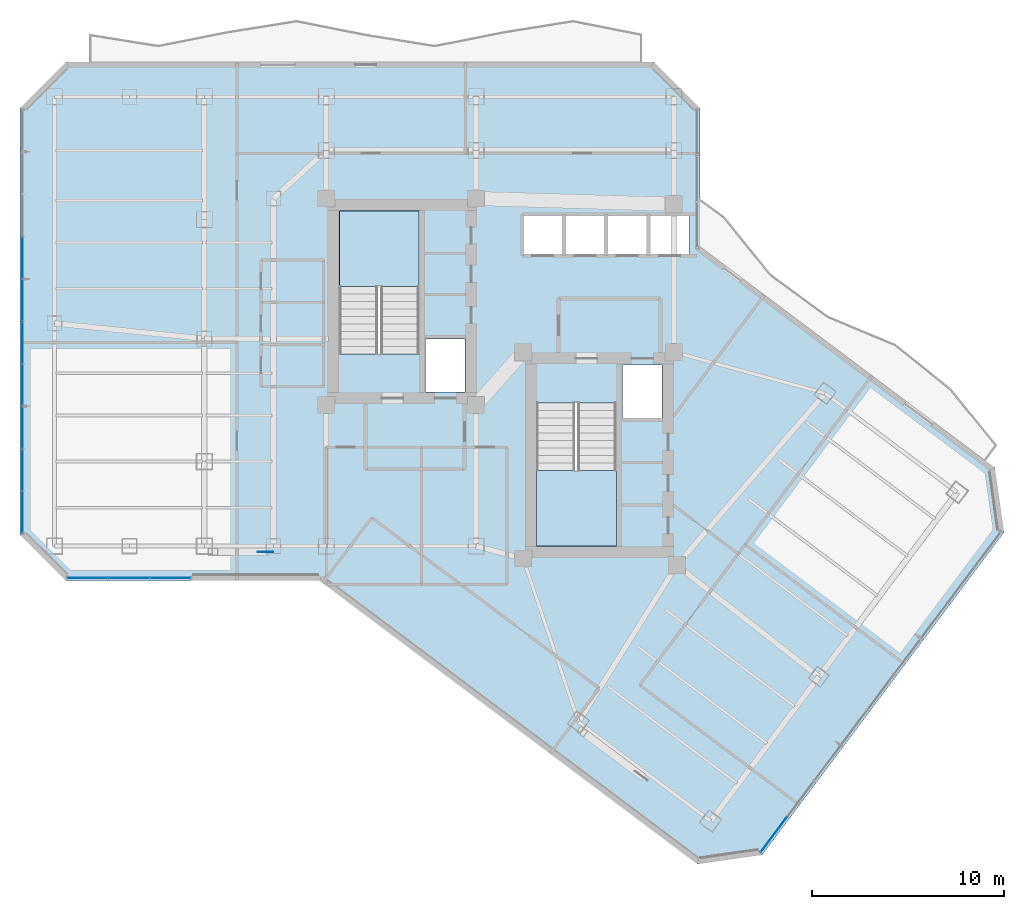
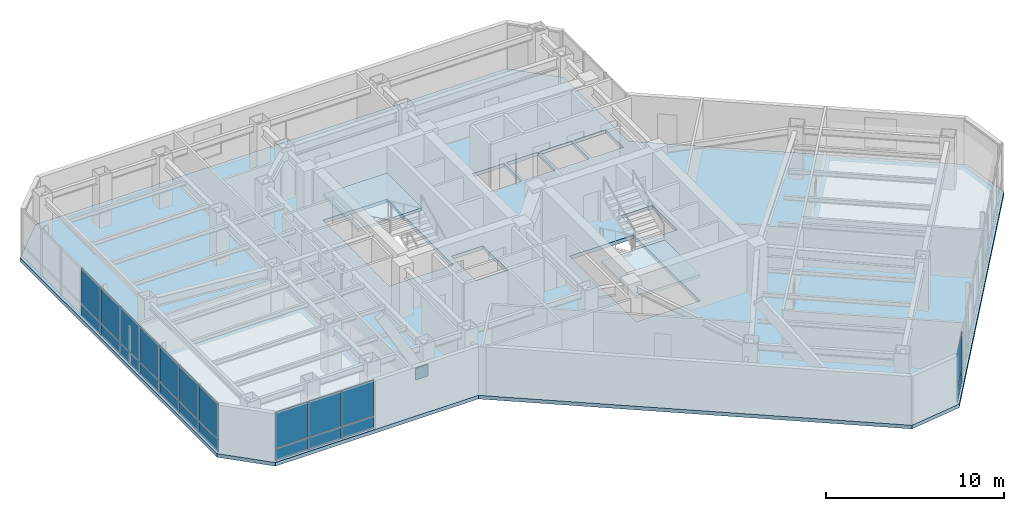
# One storey, part 20 of 28: 23 plates, 3 slabs, 5 elements without a shape of their own.
"""IFC4 building model written with IfcOpenShell, lengths in metres."""

from ifc_helpers import new_model, si_unit, direction, frame, origin, origin_2d, place, context, subcontext, project, spatial, polyline, rectangle, outline, extrude, material, layer, layer_set, type_object, element, aggregate, save


model = new_model("IFC4")

# Units and contexts
model_context = context("Model", 3, precision=1e-05, world=origin(), true_north=direction((0.0, 1.0)))
body_context = subcontext(model_context, "Body", "Model", "MODEL_VIEW")
ifc_project = project(units=[si_unit("LENGTHUNIT", "METRE"), si_unit("AREAUNIT", "SQUARE_METRE"), si_unit("VOLUMEUNIT", "CUBIC_METRE"), si_unit("PLANEANGLEUNIT", "RADIAN"), si_unit("MASSUNIT", "GRAM", prefix="KILO")], contexts=[model_context])

# Site, building, storey
site_placement = place(None, origin())
site = spatial("IfcSite", under=ifc_project, at=site_placement, CompositionType="ELEMENT")
building_placement = place(site_placement, origin())
building = spatial("IfcBuilding", under=site, at=building_placement, Name="Hatsunagi Terrace Concourse", CompositionType="ELEMENT")
storey_placement = place(building_placement, frame((0.0, 0.0, 138.449951171875)))
storey = spatial("IfcBuildingStorey", under=building, at=storey_placement, Name="L36", CompositionType="ELEMENT", Elevation=138.449951171875)

# Curtain wall, plate
ifc_material_1 = material(Name="Anodised Aluminium Alloy 6063-T5", Category="aluminium")
ifc_layer_1 = layer(ifc_material_1, 0.199951171875)
ifc_layer_set_1 = layer_set([ifc_layer_1], Name="OfficeZone1_CW03")
curtain_wall_type = type_object("IfcCurtainWallType", Name="OfficeZone1_CW03", PredefinedType="NOTDEFINED", material=ifc_layer_set_1)
curtain_wall_1_placement = place(storey_placement, origin())
curtain_wall_1 = element("IfcCurtainWall", 1, at=curtain_wall_1_placement, inside=storey, type_object=curtain_wall_type, Name="Unitised Curtain Wall CW-03 CW-L36-03", PredefinedType="NOTDEFINED")
ifc_material_2 = material(Name="Warm Terracotta Ceramic Spandrel Panel", Category="masonry")
ifc_layer_2 = layer(ifc_material_2, 0.031982421875)
ifc_layer_set_2 = layer_set([ifc_layer_2], Name="CurtainWallSpandrelPanel_32")
plate_type_1 = type_object("IfcPlateType", Name="CurtainWallSpandrelPanel_32", PredefinedType="SHEET", material=ifc_layer_set_2)
plate_1_placement = place(storey_placement, frame((48.85888671875, 10.177978515625, 0.030029296875), z_axis=(0.0, 0.0, 1.0), x_axis=(-0.599969314634, -0.800023013105, 0.0)))
plate_1 = element("IfcPlate", 2, at=plate_1_placement, type_object=plate_type_1, Name="Terracotta Spandrel Panel SPN-01", PredefinedType="SHEET", context=body_context, shape_type="SweptSolid", body=[
    extrude(rectangle(XDim=2.264892578125, YDim=0.031982421875, at=origin_2d()), origin(), (0.0, 0.0, 1.0), 0.7900390625),
])

# Curtain wall, plates
curtain_wall_2_placement = place(storey_placement, origin())
curtain_wall_2 = element("IfcCurtainWall", 3, at=curtain_wall_2_placement, inside=storey, type_object=curtain_wall_type, Name="Unitised Curtain Wall CW-03 CW-L36-07", PredefinedType="NOTDEFINED")
plate_2_placement = place(storey_placement, frame((17.426025390625, 23.5400390625, 0.030029296875), z_axis=(0.0, 0.0, 1.0), x_axis=(-1.0, 0.0, 0.0)))
plate_2 = element("IfcPlate", 4, at=plate_2_placement, type_object=plate_type_1, Name="Terracotta Spandrel Panel SPN-01", PredefinedType="SHEET", context=body_context, shape_type="SweptSolid", body=[
    extrude(rectangle(XDim=2.092041015625, YDim=0.031982421875, at=origin_2d()), origin(), (0.0, 0.0, 1.0), 0.7900390625),
])
plate_3_placement = place(storey_placement, frame((15.279052734375, 23.5400390625, 0.030029296875), z_axis=(0.0, 0.0, 1.0), x_axis=(-1.0, 0.0, 0.0)))
plate_3 = element("IfcPlate", 5, at=plate_3_placement, type_object=plate_type_1, Name="Terracotta Spandrel Panel SPN-01", PredefinedType="SHEET", context=body_context, shape_type="SweptSolid", body=[
    extrude(rectangle(XDim=2.092041015625, YDim=0.031982421875, at=origin_2d()), origin(), (0.0, 0.0, 1.0), 0.7900390625),
])
plate_4_placement = place(storey_placement, frame((13.132080078125, 23.5400390625, 0.030029296875), z_axis=(0.0, 0.0, 1.0), x_axis=(-1.0, 0.0, 0.0)))
plate_4 = element("IfcPlate", 6, at=plate_4_placement, type_object=plate_type_1, Name="Terracotta Spandrel Panel SPN-01", PredefinedType="SHEET", context=body_context, shape_type="SweptSolid", body=[
    extrude(rectangle(XDim=2.092041015625, YDim=0.031982421875, at=origin_2d()), origin(), (0.0, 0.0, 1.0), 0.7900390625),
])

curtain_wall_3_placement = place(storey_placement, origin())
curtain_wall_3 = element("IfcCurtainWall", 7, at=curtain_wall_3_placement, inside=storey, type_object=curtain_wall_type, Name="Unitised Curtain Wall CW-03 CW-L36-09", PredefinedType="NOTDEFINED")
plate_5_placement = place(storey_placement, frame((9.739990234375, 26.9619140625, 0.030029296875), z_axis=(0.0, 0.0, 1.0), x_axis=(0.0, 1.0, 0.0)))
plate_5 = element("IfcPlate", 8, at=plate_5_placement, type_object=plate_type_1, Name="Terracotta Spandrel Panel SPN-01", PredefinedType="SHEET", context=body_context, shape_type="SweptSolid", body=[
    extrude(rectangle(XDim=2.153076171875, YDim=0.031982421875, at=origin_2d()), origin(), (0.0, 0.0, 1.0), 0.7900390625),
])
plate_6_placement = place(storey_placement, frame((9.739990234375, 29.1708984375, 0.030029296875), z_axis=(0.0, 0.0, 1.0), x_axis=(0.0, 1.0, 0.0)))
plate_6 = element("IfcPlate", 9, at=plate_6_placement, type_object=plate_type_1, Name="Terracotta Spandrel Panel SPN-01", PredefinedType="SHEET", context=body_context, shape_type="SweptSolid", body=[
    extrude(rectangle(XDim=2.153076171875, YDim=0.031982421875, at=origin_2d()), origin(), (0.0, 0.0, 1.0), 0.7900390625),
])
plate_7_placement = place(storey_placement, frame((9.739990234375, 31.37890625, 0.030029296875), z_axis=(0.0, 0.0, 1.0), x_axis=(0.0, 1.0, 0.0)))
plate_7 = element("IfcPlate", 10, at=plate_7_placement, type_object=plate_type_1, Name="Terracotta Spandrel Panel SPN-01", PredefinedType="SHEET", context=body_context, shape_type="SweptSolid", body=[
    extrude(rectangle(XDim=2.153076171875, YDim=0.031982421875, at=origin_2d()), origin(), (0.0, 0.0, 1.0), 0.7900390625),
])
plate_8_placement = place(storey_placement, frame((9.739990234375, 33.5869140625, 0.030029296875), z_axis=(0.0, 0.0, 1.0), x_axis=(0.0, 1.0, 0.0)))
plate_8 = element("IfcPlate", 11, at=plate_8_placement, type_object=plate_type_1, Name="Terracotta Spandrel Panel SPN-01", PredefinedType="SHEET", context=body_context, shape_type="SweptSolid", body=[
    extrude(rectangle(XDim=2.153076171875, YDim=0.031982421875, at=origin_2d()), origin(), (0.0, 0.0, 1.0), 0.7900390625),
])
plate_9_placement = place(storey_placement, frame((9.739990234375, 35.7958984375, 0.030029296875), z_axis=(0.0, 0.0, 1.0), x_axis=(0.0, 1.0, 0.0)))
plate_9 = element("IfcPlate", 12, at=plate_9_placement, type_object=plate_type_1, Name="Terracotta Spandrel Panel SPN-01", PredefinedType="SHEET", context=body_context, shape_type="SweptSolid", body=[
    extrude(rectangle(XDim=2.153076171875, YDim=0.031982421875, at=origin_2d()), origin(), (0.0, 0.0, 1.0), 0.7900390625),
])
plate_10_placement = place(storey_placement, frame((9.739990234375, 38.00390625, 0.030029296875), z_axis=(0.0, 0.0, 1.0), x_axis=(0.0, 1.0, 0.0)))
plate_10 = element("IfcPlate", 13, at=plate_10_placement, type_object=plate_type_1, Name="Terracotta Spandrel Panel SPN-01", PredefinedType="SHEET", context=body_context, shape_type="SweptSolid", body=[
    extrude(rectangle(XDim=2.153076171875, YDim=0.031982421875, at=origin_2d()), origin(), (0.0, 0.0, 1.0), 0.7900390625),
])
plate_11_placement = place(storey_placement, frame((9.739990234375, 40.212890625, 0.030029296875), z_axis=(0.0, 0.0, 1.0), x_axis=(0.0, 1.0, 0.0)))
plate_11 = element("IfcPlate", 14, at=plate_11_placement, type_object=plate_type_1, Name="Terracotta Spandrel Panel SPN-01", PredefinedType="SHEET", context=body_context, shape_type="SweptSolid", body=[
    extrude(rectangle(XDim=2.153076171875, YDim=0.031982421875, at=origin_2d()), origin(), (0.0, 0.0, 1.0), 0.7900390625),
])

# Plate
ifc_material_3 = material(Name="Low-E Double Insulating Glass 28mm", Category="glass")
ifc_layer_3 = layer(ifc_material_3, 0.028076171875)
ifc_layer_set_3 = layer_set([ifc_layer_3], Name="CurtainWallVisionGlass_28")
plate_type_2 = type_object("IfcPlateType", Name="CurtainWallVisionGlass_28", PredefinedType="CURTAIN_PANEL", material=ifc_layer_set_3)
plate_12_placement = place(storey_placement, frame((48.85888671875, 10.177978515625, 0.880126953125), z_axis=(0.0, 0.0, 1.0), x_axis=(-0.599969314634, -0.800023013105, 0.0)))
plate_12 = element("IfcPlate", 15, at=plate_12_placement, type_object=plate_type_2, Name="Low-E Vision Glass Panel GLZ-01", PredefinedType="CURTAIN_PANEL", context=body_context, shape_type="SweptSolid", body=[
    extrude(rectangle(XDim=2.264892578125, YDim=0.028076171875, at=origin_2d()), origin(), (0.0, 0.0, 1.0), 2.43994140625),
])

aggregate(curtain_wall_1, [plate_1, plate_12])

plate_13_placement = place(storey_placement, frame((17.426025390625, 23.5400390625, 0.880126953125), z_axis=(0.0, 0.0, 1.0), x_axis=(-1.0, 0.0, 0.0)))
plate_13 = element("IfcPlate", 16, at=plate_13_placement, type_object=plate_type_2, Name="Low-E Vision Glass Panel GLZ-01", PredefinedType="CURTAIN_PANEL", context=body_context, shape_type="SweptSolid", body=[
    extrude(rectangle(XDim=2.092041015625, YDim=0.028076171875, at=origin_2d()), origin(), (0.0, 0.0, 1.0), 2.43994140625),
])

plate_14_placement = place(storey_placement, frame((15.279052734375, 23.5400390625, 0.880126953125), z_axis=(0.0, 0.0, 1.0), x_axis=(-1.0, 0.0, 0.0)))
plate_14 = element("IfcPlate", 17, at=plate_14_placement, type_object=plate_type_2, Name="Low-E Vision Glass Panel GLZ-01", PredefinedType="CURTAIN_PANEL", context=body_context, shape_type="SweptSolid", body=[
    extrude(rectangle(XDim=2.092041015625, YDim=0.028076171875, at=origin_2d()), origin(), (0.0, 0.0, 1.0), 2.43994140625),
])

plate_15_placement = place(storey_placement, frame((13.132080078125, 23.5400390625, 0.880126953125), z_axis=(0.0, 0.0, 1.0), x_axis=(-1.0, 0.0, 0.0)))
plate_15 = element("IfcPlate", 18, at=plate_15_placement, type_object=plate_type_2, Name="Low-E Vision Glass Panel GLZ-01", PredefinedType="CURTAIN_PANEL", context=body_context, shape_type="SweptSolid", body=[
    extrude(rectangle(XDim=2.092041015625, YDim=0.028076171875, at=origin_2d()), origin(), (0.0, 0.0, 1.0), 2.43994140625),
])

aggregate(curtain_wall_2, [plate_2, plate_13, plate_3, plate_14, plate_4, plate_15])

plate_16_placement = place(storey_placement, frame((9.739990234375, 26.9619140625, 0.880126953125), z_axis=(0.0, 0.0, 1.0), x_axis=(0.0, 1.0, 0.0)))
plate_16 = element("IfcPlate", 19, at=plate_16_placement, type_object=plate_type_2, Name="Low-E Vision Glass Panel GLZ-01", PredefinedType="CURTAIN_PANEL", context=body_context, shape_type="SweptSolid", body=[
    extrude(rectangle(XDim=2.153076171875, YDim=0.028076171875, at=origin_2d()), origin(), (0.0, 0.0, 1.0), 2.43994140625),
])

plate_17_placement = place(storey_placement, frame((9.739990234375, 29.1708984375, 0.880126953125), z_axis=(0.0, 0.0, 1.0), x_axis=(0.0, 1.0, 0.0)))
plate_17 = element("IfcPlate", 20, at=plate_17_placement, type_object=plate_type_2, Name="Low-E Vision Glass Panel GLZ-01", PredefinedType="CURTAIN_PANEL", context=body_context, shape_type="SweptSolid", body=[
    extrude(rectangle(XDim=2.153076171875, YDim=0.028076171875, at=origin_2d()), origin(), (0.0, 0.0, 1.0), 2.43994140625),
])

plate_18_placement = place(storey_placement, frame((9.739990234375, 31.37890625, 0.880126953125), z_axis=(0.0, 0.0, 1.0), x_axis=(0.0, 1.0, 0.0)))
plate_18 = element("IfcPlate", 21, at=plate_18_placement, type_object=plate_type_2, Name="Low-E Vision Glass Panel GLZ-01", PredefinedType="CURTAIN_PANEL", context=body_context, shape_type="SweptSolid", body=[
    extrude(rectangle(XDim=2.153076171875, YDim=0.028076171875, at=origin_2d()), origin(), (0.0, 0.0, 1.0), 2.43994140625),
])

plate_19_placement = place(storey_placement, frame((9.739990234375, 33.5869140625, 0.880126953125), z_axis=(0.0, 0.0, 1.0), x_axis=(0.0, 1.0, 0.0)))
plate_19 = element("IfcPlate", 22, at=plate_19_placement, type_object=plate_type_2, Name="Low-E Vision Glass Panel GLZ-01", PredefinedType="CURTAIN_PANEL", context=body_context, shape_type="SweptSolid", body=[
    extrude(rectangle(XDim=2.153076171875, YDim=0.028076171875, at=origin_2d()), origin(), (0.0, 0.0, 1.0), 2.43994140625),
])

plate_20_placement = place(storey_placement, frame((9.739990234375, 35.7958984375, 0.880126953125), z_axis=(0.0, 0.0, 1.0), x_axis=(0.0, 1.0, 0.0)))
plate_20 = element("IfcPlate", 23, at=plate_20_placement, type_object=plate_type_2, Name="Low-E Vision Glass Panel GLZ-01", PredefinedType="CURTAIN_PANEL", context=body_context, shape_type="SweptSolid", body=[
    extrude(rectangle(XDim=2.153076171875, YDim=0.028076171875, at=origin_2d()), origin(), (0.0, 0.0, 1.0), 2.43994140625),
])

plate_21_placement = place(storey_placement, frame((9.739990234375, 38.00390625, 0.880126953125), z_axis=(0.0, 0.0, 1.0), x_axis=(0.0, 1.0, 0.0)))
plate_21 = element("IfcPlate", 24, at=plate_21_placement, type_object=plate_type_2, Name="Low-E Vision Glass Panel GLZ-01", PredefinedType="CURTAIN_PANEL", context=body_context, shape_type="SweptSolid", body=[
    extrude(rectangle(XDim=2.153076171875, YDim=0.028076171875, at=origin_2d()), origin(), (0.0, 0.0, 1.0), 2.43994140625),
])

plate_22_placement = place(storey_placement, frame((9.739990234375, 40.212890625, 0.880126953125), z_axis=(0.0, 0.0, 1.0), x_axis=(0.0, 1.0, 0.0)))
plate_22 = element("IfcPlate", 25, at=plate_22_placement, type_object=plate_type_2, Name="Low-E Vision Glass Panel GLZ-01", PredefinedType="CURTAIN_PANEL", context=body_context, shape_type="SweptSolid", body=[
    extrude(rectangle(XDim=2.153076171875, YDim=0.028076171875, at=origin_2d()), origin(), (0.0, 0.0, 1.0), 2.43994140625),
])

aggregate(curtain_wall_3, [plate_5, plate_16, plate_6, plate_17, plate_7, plate_18, plate_8, plate_19, plate_9, plate_20, plate_10, plate_21, plate_11, plate_22])

# Stair, slab
ifc_material_4 = material(Name="Concrete Fc42", Category="concrete")
stair_type = type_object("IfcStairType", Name="DoglegExitStair_Tower2000_20R_180", PredefinedType="HALF_TURN_STAIR", material=ifc_material_4)
stair_1_placement = place(storey_placement, origin())
stair_1 = element("IfcStair", 26, at=stair_1_placement, inside=storey, type_object=stair_type, Name="L36 Core A Protected Exit Stair ST-A", PredefinedType="HALF_TURN_STAIR")
ifc_material_5 = material(Name="Concrete Fc42", Category="concrete")
ifc_layer_4 = layer(ifc_material_5, 0.199951171875)
ifc_layer_set_4 = layer_set([ifc_layer_4], Name="DoglegStairLanding_Tower2000")
slab_type_1 = type_object("IfcSlabType", Name="DoglegStairLanding_Tower2000", PredefinedType="LANDING", material=ifc_layer_set_4)
slab_1_placement = place(storey_placement, frame((0.0, 0.0, 1.60009765625)))
slab_1 = element("IfcSlab", 27, at=slab_1_placement, type_object=slab_type_1, Name="ST-A landing 1", PredefinedType="LANDING", context=body_context, shape_type="SweptSolid", body=[
    extrude(outline(polyline([(30.3798828125, 38.7099609375), (30.3798828125, 42.659912109375), (26.22998046875, 42.659912109375), (26.22998046875, 38.7099609375), (30.3798828125, 38.7099609375)])), origin(), (0.0, 0.0, 1.0), 0.199951171875),
])
aggregate(stair_1, [slab_1])

stair_2_placement = place(storey_placement, origin())
stair_2 = element("IfcStair", 28, at=stair_2_placement, inside=storey, type_object=stair_type, Name="L36 Core B Protected Exit Stair ST-B", PredefinedType="HALF_TURN_STAIR")
slab_2_placement = place(storey_placement, frame((0.0, 0.0, 1.60009765625)))
slab_2 = element("IfcSlab", 29, at=slab_2_placement, type_object=slab_type_1, Name="ST-B landing 1", PredefinedType="LANDING", context=body_context, shape_type="SweptSolid", body=[
    extrude(outline(polyline([(36.5, 29.14990234375), (36.5, 25.199951171875), (40.64990234375, 25.199951171875), (40.64990234375, 29.14990234375), (36.5, 29.14990234375)])), origin(), (0.0, 0.0, 1.0), 0.199951171875),
])
aggregate(stair_2, [slab_2])

# Slab
ifc_material_6 = material(Name="Concrete Fc42", Category="concrete")
ifc_layer_5 = layer(ifc_material_6, 0.25)
ifc_layer_set_5 = layer_set([ifc_layer_5], Name="OfficeCrownSlab_Fc42_250")
slab_type_2 = type_object("IfcSlabType", Name="OfficeCrownSlab_Fc42_250", PredefinedType="FLOOR", material=ifc_layer_set_5)
slab_3_placement = place(storey_placement, frame((0.0, 0.0, -0.25)))
element("IfcSlab", 30, at=slab_3_placement, inside=storey, type_object=slab_type_2, Name="Floor Slab SL-250 L36", PredefinedType="FLOOR", context=body_context, shape_type="SweptSolid", body=[
    extrude(outline(polyline([(45.0, 40.800048828125), (45.0, 48.0), (42.60009765625, 50.39990234375), (12.0, 50.39990234375), (9.60009765625, 48.0), (9.60009765625, 25.800048828125), (12.0, 23.39990234375), (25.199951171875, 23.39990234375), (44.8798828125, 8.639892578125), (48.239990234375, 9.1201171875), (60.840087890625, 25.919921875), (60.360107421875, 29.280029296875), (45.0, 40.800048828125)]), holes=[polyline([(26.22998046875, 35.205078125), (30.3798828125, 35.205078125), (30.3798828125, 42.659912109375), (26.22998046875, 42.659912109375), (26.22998046875, 35.205078125)]), polyline([(36.5, 25.199951171875), (40.64990234375, 25.199951171875), (40.64990234375, 32.655029296875), (36.5, 32.655029296875), (36.5, 25.199951171875)]), polyline([(30.719970703125, 33.219970703125), (32.780029296875, 33.219970703125), (32.780029296875, 35.97998046875), (30.719970703125, 35.97998046875), (30.719970703125, 33.219970703125)]), polyline([(40.97998046875, 31.8798828125), (43.02001953125, 31.8798828125), (43.02001953125, 34.639892578125), (40.97998046875, 34.639892578125), (40.97998046875, 31.8798828125)]), polyline([(35.800048828125, 40.39990234375), (37.85009765625, 40.39990234375), (37.85009765625, 42.39990234375), (35.800048828125, 42.39990234375), (35.800048828125, 40.39990234375)]), polyline([(38.0, 40.39990234375), (40.050048828125, 40.39990234375), (40.050048828125, 42.39990234375), (38.0, 42.39990234375), (38.0, 40.39990234375)]), polyline([(40.199951171875, 40.39990234375), (42.25, 40.39990234375), (42.25, 42.39990234375), (40.199951171875, 42.39990234375), (40.199951171875, 40.39990234375)]), polyline([(42.39990234375, 40.39990234375), (44.449951171875, 40.39990234375), (44.449951171875, 42.39990234375), (42.39990234375, 42.39990234375), (42.39990234375, 40.39990234375)])]), origin(), (0.0, 0.0, 1.0), 0.25),
])

# Plate
ifc_material_7 = material(Name="Steel SN490C", Category="steel")
ifc_layer_6 = layer(ifc_material_7, 0.031982421875)
ifc_layer_set_6 = layer_set([ifc_layer_6], Name="XBraceNodeCapPlate_32")
plate_type_3 = type_object("IfcPlateType", Name="XBraceNodeCapPlate_32", PredefinedType="USERDEFINED", material=ifc_layer_set_6)
plate_23_placement = place(storey_placement, frame((22.375, 24.89990234375, 1.27490234375), z_axis=(0.0, 0.0, 1.0), x_axis=(1.0, 0.0, 0.0)))
element("IfcPlate", 31, at=plate_23_placement, inside=storey, type_object=plate_type_3, Name="X-Brace Crossing Gusset Node Plate GP-02 XB-L35-W1", ObjectType="GUSSET_PLATE", PredefinedType="USERDEFINED", context=body_context, shape_type="SweptSolid", body=[
    extrude(rectangle(XDim=0.800048828125, YDim=0.031982421875, at=origin_2d()), origin(), (0.0, 0.0, 1.0), 0.800048828125),
])

save(model, "model.ifc")
